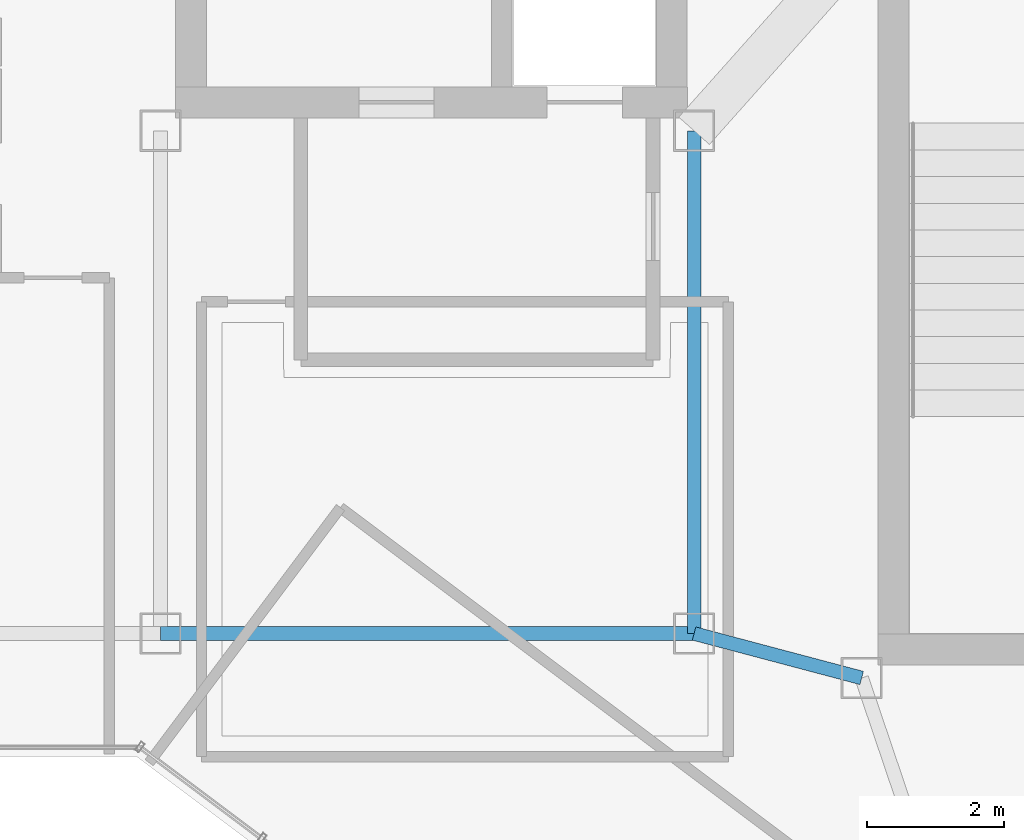
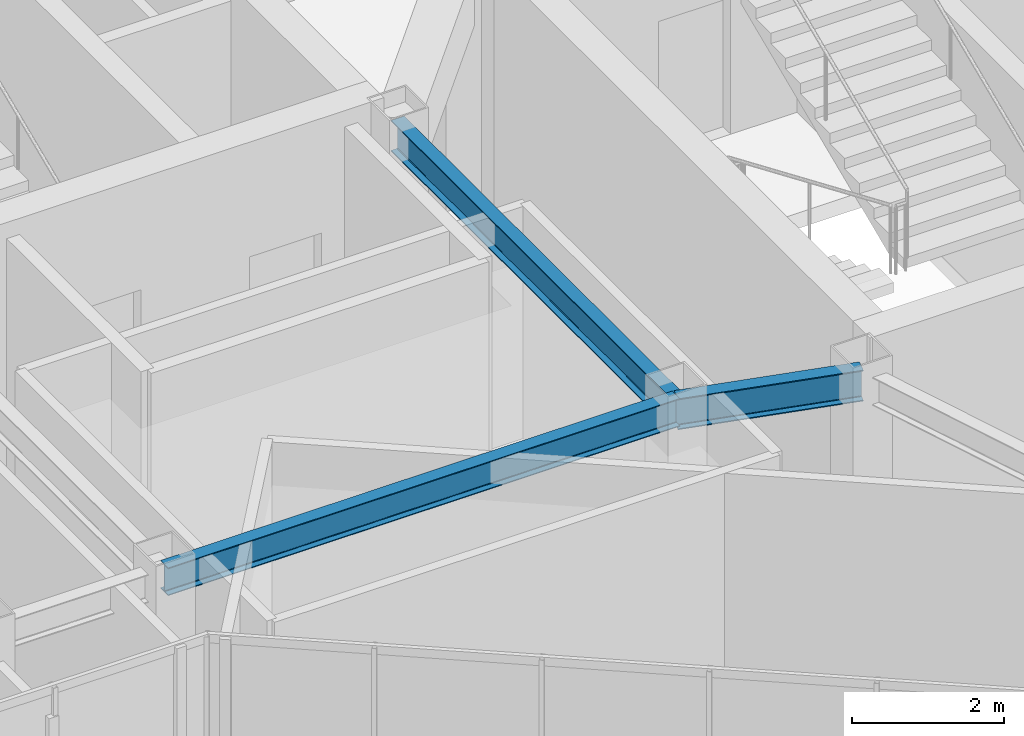
# One storey, part 6 of 29: 3 beams.
"""IFC4 building model written with IfcOpenShell, lengths in metres."""

from ifc_helpers import new_model, si_unit, direction, frame, origin, origin_2d, place, context, subcontext, project, spatial, i_section, extrude, material, material_profile, profile_set, type_object, element, save


model = new_model("IFC4")

# Units and contexts
model_context = context("Model", 3, precision=1e-05, world=origin(), true_north=direction((0.0, 1.0)))
body_context = subcontext(model_context, "Body", "Model", "MODEL_VIEW")
ifc_project = project(units=[si_unit("LENGTHUNIT", "METRE"), si_unit("AREAUNIT", "SQUARE_METRE"), si_unit("VOLUMEUNIT", "CUBIC_METRE"), si_unit("PLANEANGLEUNIT", "RADIAN"), si_unit("MASSUNIT", "GRAM", prefix="KILO")], contexts=[model_context])

# Site, building, storey
site_placement = place(None, origin())
site = spatial("IfcSite", under=ifc_project, at=site_placement, CompositionType="ELEMENT")
building_placement = place(site_placement, origin())
building = spatial("IfcBuilding", under=site, at=building_placement, Name="Hatsunagi Terrace Concourse", CompositionType="ELEMENT")
storey_placement = place(building_placement, frame((0.0, 0.0, 277.949951171875)))
storey = spatial("IfcBuildingStorey", under=building, at=storey_placement, Name="L73", CompositionType="ELEMENT", Elevation=277.949951171875)

# Beams
ifc_material_1 = material(Name="Steel SN490B", Category="steel")
ifc_material_profile_1 = material_profile(ifc_material_1, i_section(OverallWidth=0.199951171875, OverallDepth=0.5, WebThickness=0.010009765625, FlangeThickness=0.01611328125, FilletRadius=0.01611328125, at=origin_2d()), Name="H-500x200x10x16")
ifc_profile_set_1 = profile_set([ifc_material_profile_1], Name="Steel SN490B")
beam_type_1 = type_object("IfcBeamType", Name="CrownFloorGirder_H_500x200", PredefinedType="BEAM", material=ifc_profile_set_1)
beam_1_placement = place(storey_placement, frame((33.35009765625, 25.199951171875, 3.5), z_axis=(0.0, 1.0, 0.0), x_axis=(-1.0, 0.0, 0.0)))
element("IfcBeam", 1, at=beam_1_placement, inside=storey, type_object=beam_type_1, Name="Beam G-07 BM-L73-K2CA", PredefinedType="BEAM", context=body_context, shape_type="SweptSolid", body=[
    extrude(i_section(OverallWidth=0.199951171875, OverallDepth=0.5, WebThickness=0.010009765625, FlangeThickness=0.01611328125, FilletRadius=0.01611328125, at=origin_2d()), origin(), (0.0, 0.0, 1.0), 7.35009765625),
])
beam_2_placement = place(storey_placement, frame((33.35009765625, 25.199951171875, 3.5), z_axis=(0.966569840116, -0.256403479262, 0.0), x_axis=(0.256403479262, 0.966569840116, 0.0)))
element("IfcBeam", 2, at=beam_2_placement, inside=storey, type_object=beam_type_1, Name="Beam G-07 BM-L73-K2CB", PredefinedType="BEAM", context=body_context, shape_type="SweptSolid", body=[
    extrude(i_section(OverallWidth=0.199951171875, OverallDepth=0.5, WebThickness=0.010009765625, FlangeThickness=0.01611328125, FilletRadius=0.01611328125, at=origin_2d()), origin(), (0.0, 0.0, 1.0), 2.53466796875),
])
ifc_material_2 = material(Name="Steel SN490B", Category="steel")
ifc_material_profile_2 = material_profile(ifc_material_2, i_section(OverallWidth=0.199951171875, OverallDepth=0.449951171875, WebThickness=0.009033203125, FlangeThickness=0.013916015625, FilletRadius=0.01611328125, at=origin_2d()), Name="H-450x200x9x14")
ifc_profile_set_2 = profile_set([ifc_material_profile_2], Name="Steel SN490B")
beam_type_2 = type_object("IfcBeamType", Name="PerimeterSpandrel_H_450x200", PredefinedType="SPANDREL", material=ifc_profile_set_2)
beam_3_placement = place(storey_placement, frame((25.550048828125, 25.199951171875, 3.525146484375), z_axis=(1.0, 0.0, 0.0), x_axis=(0.0, 1.0, 0.0)))
element("IfcBeam", 3, at=beam_3_placement, inside=storey, type_object=beam_type_2, Name="Beam SP-02 BM-L73-WS-25", PredefinedType="SPANDREL", context=body_context, shape_type="SweptSolid", body=[
    extrude(i_section(OverallWidth=0.199951171875, OverallDepth=0.449951171875, WebThickness=0.009033203125, FlangeThickness=0.013916015625, FilletRadius=0.01611328125, at=origin_2d()), origin(), (0.0, 0.0, 1.0), 7.800048828125),
])

save(model, "model.ifc")
